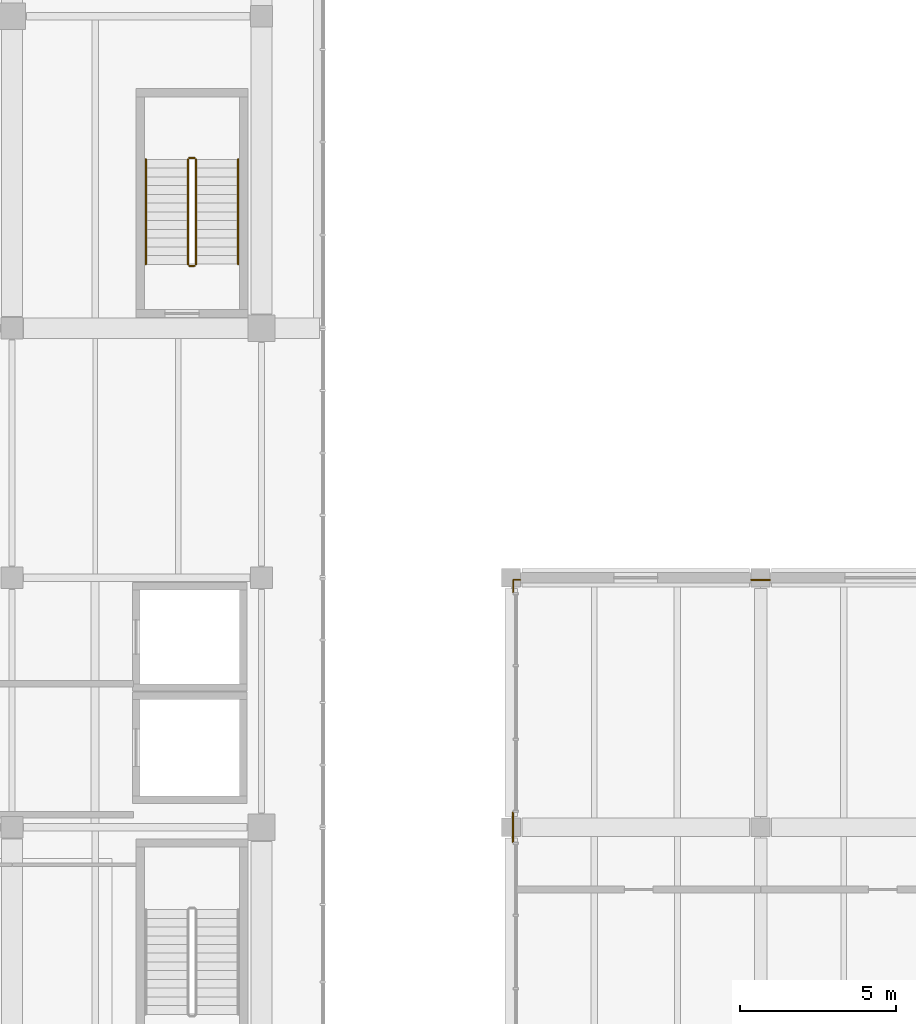
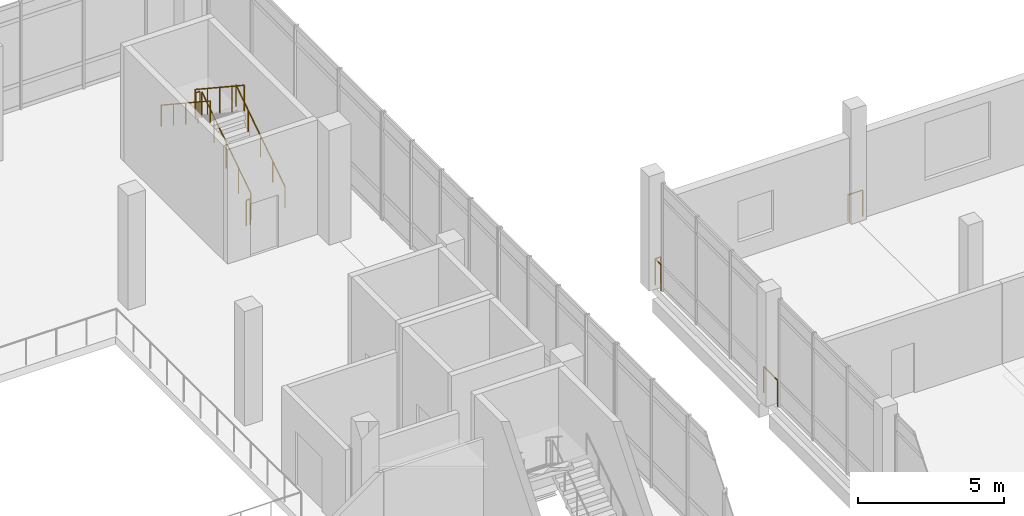
# One storey, part 46 of 47: 9 railings.
"""IFC4 building model written with IfcOpenShell, lengths in metres."""

from ifc_helpers import new_model, si_unit, direction, frame, origin, origin_2d, place, context, subcontext, project, spatial, circle, extrude, material, type_object, element, save


model = new_model("IFC4")

# Units and contexts
model_context = context("Model", 3, precision=1e-05, world=origin(), true_north=direction((0.0, 1.0)))
body_context = subcontext(model_context, "Body", "Model", "MODEL_VIEW")
ifc_project = project(units=[si_unit("LENGTHUNIT", "METRE"), si_unit("AREAUNIT", "SQUARE_METRE"), si_unit("VOLUMEUNIT", "CUBIC_METRE"), si_unit("PLANEANGLEUNIT", "RADIAN"), si_unit("MASSUNIT", "GRAM", prefix="KILO")], contexts=[model_context])

# Site, building, storey
site_placement = place(None, origin())
site = spatial("IfcSite", under=ifc_project, at=site_placement, CompositionType="ELEMENT")
building_placement = place(site_placement, origin())
building = spatial("IfcBuilding", under=site, at=building_placement, Name="Pecanmere Concourse Central Library", CompositionType="ELEMENT")
storey_placement = place(building_placement, frame((0.0, 0.0, 15.300048828125)))
storey = spatial("IfcBuildingStorey", under=building, at=storey_placement, Name="L04", CompositionType="ELEMENT", Elevation=15.300048828125)

# Railings
ifc_material_1 = material(Name="Architectural anodized bronze")
railing_type_1 = type_object("IfcRailingType", Name="RAIL_ATRIUM_BAL", PredefinedType="BALUSTRADE", material=ifc_material_1)
railing_1_placement = place(storey_placement, frame((112.070068359375, 97.52001953125, 0.0)))
element("IfcRailing", 1, at=railing_1_placement, inside=storey, type_object=railing_type_1, Name="Deck Edge Protective Balustrade L04-167", PredefinedType="BALUSTRADE", context=body_context, shape_type="SweptSolid", body=[
    extrude(circle(Radius=0.02392578125, at=origin_2d()), frame((0.0, 0.0, 1.09619140625), z_axis=(0.0, 1.0, 0.0), x_axis=(-1.0, 0.0, 0.0)), (0.0, 0.0, 1.0), 0.9599609375),
    extrude(circle(Radius=0.02099609375, at=origin_2d()), origin(), (0.0, 0.0, 1.0), 1.072021484375),
    extrude(circle(Radius=0.02099609375, at=origin_2d()), frame((0.0, 0.9599609375, 0.0)), (0.0, 0.0, 1.0), 1.072021484375),
])
railing_2_placement = place(storey_placement, frame((112.070068359375, 105.52001953125, 0.0)))
element("IfcRailing", 2, at=railing_2_placement, inside=storey, type_object=railing_type_1, Name="Deck Edge Protective Balustrade L04-168", PredefinedType="BALUSTRADE", context=body_context, shape_type="SweptSolid", body=[
    extrude(circle(Radius=0.02392578125, at=origin_2d()), frame((0.0, 0.0, 1.09619140625), z_axis=(0.0, 1.0, 0.0), x_axis=(-1.0, 0.0, 0.0)), (0.0, 0.0, 1.0), 0.40966796875),
    extrude(circle(Radius=0.02392578125, at=origin_2d()), frame((0.0, 0.40966796875, 1.09619140625), z_axis=(1.0, 0.0, 0.0), x_axis=(0.0, 1.0, 0.0)), (0.0, 0.0, 1.0), 0.224853515625),
    extrude(circle(Radius=0.02099609375, at=origin_2d()), origin(), (0.0, 0.0, 1.0), 1.072021484375),
    extrude(circle(Radius=0.02099609375, at=origin_2d()), frame((0.0, 0.40966796875, 0.0)), (0.0, 0.0, 1.0), 1.072021484375),
    extrude(circle(Radius=0.02099609375, at=origin_2d()), frame((0.224853515625, 0.40966796875, 0.0)), (0.0, 0.0, 1.0), 1.072021484375),
])
railing_3_placement = place(storey_placement, frame((119.705078125, 105.929931640625, 0.0)))
element("IfcRailing", 3, at=railing_3_placement, inside=storey, type_object=railing_type_1, Name="Deck Edge Protective Balustrade L04-169", PredefinedType="BALUSTRADE", context=body_context, shape_type="SweptSolid", body=[
    extrude(circle(Radius=0.02392578125, at=origin_2d()), frame((0.0, 0.0, 1.09619140625), z_axis=(1.0, 0.0, 0.0), x_axis=(0.0, 1.0, 0.0)), (0.0, 0.0, 1.0), 0.58984375),
    extrude(circle(Radius=0.02099609375, at=origin_2d()), origin(), (0.0, 0.0, 1.0), 1.072021484375),
    extrude(circle(Radius=0.02099609375, at=origin_2d()), frame((0.58984375, 0.0, 0.0)), (0.0, 0.0, 1.0), 1.072021484375),
])
ifc_material_2 = material(Name="Painted architectural steel ASTM A36", Category="steel")
railing_type_2 = type_object("IfcRailingType", Name="RAIL_STAIR_GUARD", PredefinedType="GUARDRAIL", material=ifc_material_2)
railing_4_placement = place(storey_placement, frame((101.89990234375, 116.050048828125, 0.1845703125)))
element("IfcRailing", 4, at=railing_4_placement, inside=storey, type_object=railing_type_2, Name="L04 ST-04 Guard 1", PredefinedType="GUARDRAIL", context=body_context, shape_type="SweptSolid", body=[
    extrude(circle(Radius=0.02392578125, at=origin_2d()), frame((0.0, 0.0, 1.076171875), z_axis=(0.0, 0.834858096282, 0.550465220583), x_axis=(-1.0, 0.0, 0.0)), (0.0, 0.0, 1.0), 4.0244140625),
    extrude(circle(Radius=0.02099609375, at=origin_2d()), origin(), (0.0, 0.0, 1.0), 1.052001953125),
    extrude(circle(Radius=0.02099609375, at=origin_2d()), frame((0.0, 0.83984375, 0.5537109375)), (0.0, 0.0, 1.0), 1.052001953125),
    extrude(circle(Radius=0.02099609375, at=origin_2d()), frame((0.0, 1.679931640625, 1.107666015625)), (0.0, 0.0, 1.0), 1.052001953125),
    extrude(circle(Radius=0.02099609375, at=origin_2d()), frame((0.0, 2.52001953125, 1.66162109375)), (0.0, 0.0, 1.0), 1.052001953125),
    extrude(circle(Radius=0.02099609375, at=origin_2d()), frame((0.0, 3.35986328125, 2.21533203125)), (0.0, 0.0, 1.0), 1.052001953125),
])
railing_5_placement = place(storey_placement, frame((101.85009765625, 119.4599609375, 2.39990234375)))
element("IfcRailing", 5, at=railing_5_placement, inside=storey, type_object=railing_type_2, Name="L04 ST-04 Guard 2", PredefinedType="GUARDRAIL", context=body_context, shape_type="SweptSolid", body=[
    extrude(circle(Radius=0.02392578125, at=origin_2d()), frame((0.0, 0.0, 1.076171875), z_axis=(-1.0, 0.0, 0.0), x_axis=(0.0, -1.0, 0.0)), (0.0, 0.0, 1.0), 0.16015625),
    extrude(circle(Radius=0.02099609375, at=origin_2d()), origin(), (0.0, 0.0, 1.0), 1.052001953125),
    extrude(circle(Radius=0.02099609375, at=origin_2d()), frame((-0.16015625, 0.0, 0.0)), (0.0, 0.0, 1.0), 1.052001953125),
])
railing_6_placement = place(storey_placement, frame((101.639892578125, 119.409912109375, 2.58447265625)))
element("IfcRailing", 6, at=railing_6_placement, inside=storey, type_object=railing_type_2, Name="L04 ST-04 Guard 3", PredefinedType="GUARDRAIL", context=body_context, shape_type="SweptSolid", body=[
    extrude(circle(Radius=0.02392578125, at=origin_2d()), frame((0.0, 0.0, 1.076171875), z_axis=(0.0, -0.83483021737, 0.550507500554), x_axis=(1.0, 0.0, 0.0)), (0.0, 0.0, 1.0), 4.024658203125),
    extrude(circle(Radius=0.02099609375, at=origin_2d()), origin(), (0.0, 0.0, 1.0), 1.052001953125),
    extrude(circle(Radius=0.02099609375, at=origin_2d()), frame((0.0, -0.83984375, 0.553955078125)), (0.0, 0.0, 1.0), 1.052001953125),
    extrude(circle(Radius=0.02099609375, at=origin_2d()), frame((0.0, -1.679931640625, 1.10791015625)), (0.0, 0.0, 1.0), 1.052001953125),
    extrude(circle(Radius=0.02099609375, at=origin_2d()), frame((0.0, -2.52001953125, 1.66162109375)), (0.0, 0.0, 1.0), 1.052001953125),
    extrude(circle(Radius=0.02099609375, at=origin_2d()), frame((0.0, -3.35986328125, 2.215576171875)), (0.0, 0.0, 1.0), 1.052001953125),
])
railing_7_placement = place(storey_placement, frame((101.85009765625, 116.0, 0.0)))
element("IfcRailing", 7, at=railing_7_placement, inside=storey, type_object=railing_type_2, Name="L04 ST-04 Guard 4", PredefinedType="GUARDRAIL", context=body_context, shape_type="SweptSolid", body=[
    extrude(circle(Radius=0.02392578125, at=origin_2d()), frame((0.0, 0.0, 1.076171875), z_axis=(-1.0, 0.0, 0.0), x_axis=(0.0, -1.0, 0.0)), (0.0, 0.0, 1.0), 0.16015625),
    extrude(circle(Radius=0.02099609375, at=origin_2d()), origin(), (0.0, 0.0, 1.0), 1.052001953125),
    extrude(circle(Radius=0.02099609375, at=origin_2d()), frame((-0.16015625, 0.0, 0.0)), (0.0, 0.0, 1.0), 1.052001953125),
])
ifc_material_3 = material(Name="Brushed stainless steel Grade 316", Category="steel")
railing_type_3 = type_object("IfcRailingType", Name="RAIL_STAIR_HR", PredefinedType="HANDRAIL", material=ifc_material_3)
railing_8_placement = place(storey_placement, frame((103.25, 116.050048828125, 0.1845703125)))
element("IfcRailing", 8, at=railing_8_placement, inside=storey, type_object=railing_type_3, Name="L04 ST-04 Handrail 1", PredefinedType="HANDRAIL", context=body_context, shape_type="SweptSolid", body=[
    extrude(circle(Radius=0.02392578125, at=origin_2d()), frame((0.0, 0.0, 0.89111328125), z_axis=(0.0, 0.834858096282, 0.550465220583), x_axis=(-1.0, 0.0, 0.0)), (0.0, 0.0, 1.0), 4.0244140625),
    extrude(circle(Radius=0.02099609375, at=origin_2d()), origin(), (0.0, 0.0, 1.0), 0.866943359375),
    extrude(circle(Radius=0.02099609375, at=origin_2d()), frame((0.0, 0.83984375, 0.5537109375)), (0.0, 0.0, 1.0), 0.866943359375),
    extrude(circle(Radius=0.02099609375, at=origin_2d()), frame((0.0, 1.679931640625, 1.107666015625)), (0.0, 0.0, 1.0), 0.866943359375),
    extrude(circle(Radius=0.02099609375, at=origin_2d()), frame((0.0, 2.52001953125, 1.66162109375)), (0.0, 0.0, 1.0), 0.866943359375),
    extrude(circle(Radius=0.02099609375, at=origin_2d()), frame((0.0, 3.35986328125, 2.21533203125)), (0.0, 0.0, 1.0), 0.866943359375),
])
railing_9_placement = place(storey_placement, frame((100.2900390625, 119.409912109375, 2.58447265625)))
element("IfcRailing", 9, at=railing_9_placement, inside=storey, type_object=railing_type_3, Name="L04 ST-04 Handrail 2", PredefinedType="HANDRAIL", context=body_context, shape_type="SweptSolid", body=[
    extrude(circle(Radius=0.02392578125, at=origin_2d()), frame((0.0, 0.0, 0.89111328125), z_axis=(0.0, -0.83483021737, 0.550507500554), x_axis=(1.0, 0.0, 0.0)), (0.0, 0.0, 1.0), 4.024658203125),
    extrude(circle(Radius=0.02099609375, at=origin_2d()), origin(), (0.0, 0.0, 1.0), 0.866943359375),
    extrude(circle(Radius=0.02099609375, at=origin_2d()), frame((0.0, -0.83984375, 0.553955078125)), (0.0, 0.0, 1.0), 0.866943359375),
    extrude(circle(Radius=0.02099609375, at=origin_2d()), frame((0.0, -1.679931640625, 1.10791015625)), (0.0, 0.0, 1.0), 0.866943359375),
    extrude(circle(Radius=0.02099609375, at=origin_2d()), frame((0.0, -2.52001953125, 1.66162109375)), (0.0, 0.0, 1.0), 0.866943359375),
    extrude(circle(Radius=0.02099609375, at=origin_2d()), frame((0.0, -3.35986328125, 2.215576171875)), (0.0, 0.0, 1.0), 0.866943359375),
])

save(model, "model.ifc")
